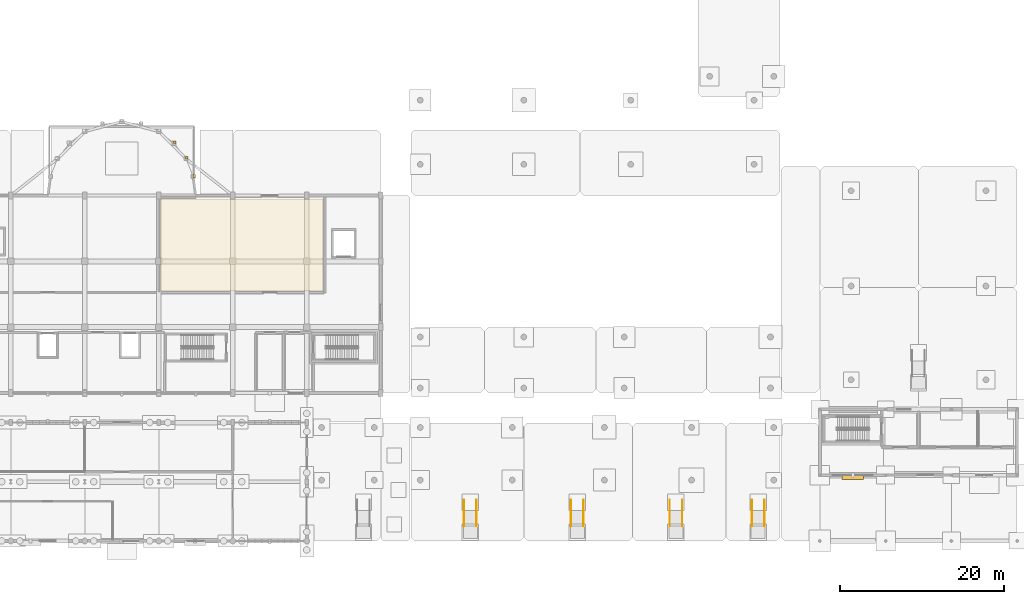
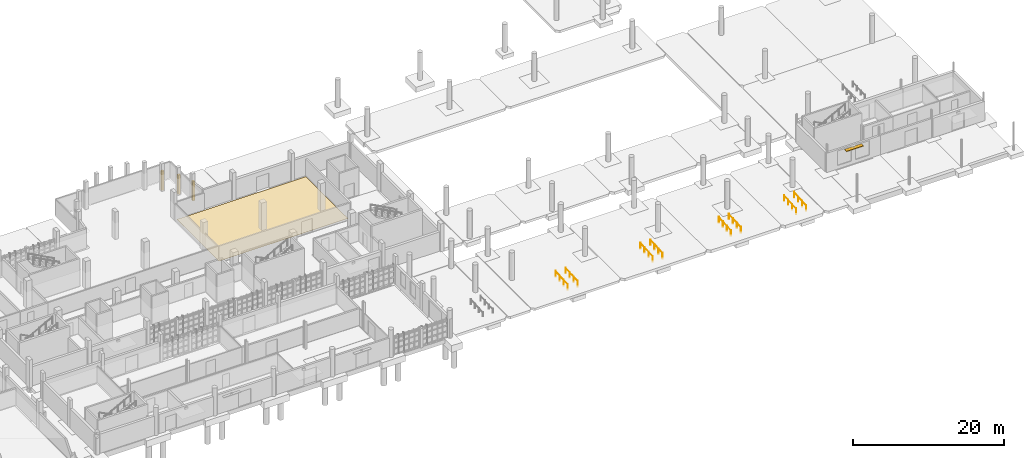
# One storey, part 61 of 63: 8 railings, 4 coverings, 1 shading device.
"""IFC4 building model written with IfcOpenShell, lengths in metres."""

from ifc_helpers import new_model, si_unit, direction, frame, origin, origin_2d, place, context, subcontext, project, spatial, polyline, rectangle, circle, outline, extrude, material, layer, layer_set, type_object, element, save


model = new_model("IFC4")

# Units and contexts
model_context = context("Model", 3, precision=1e-05, world=origin(), true_north=direction((0.0, 1.0)))
body_context = subcontext(model_context, "Body", "Model", "MODEL_VIEW")
ifc_project = project(units=[si_unit("LENGTHUNIT", "METRE"), si_unit("AREAUNIT", "SQUARE_METRE"), si_unit("VOLUMEUNIT", "CUBIC_METRE"), si_unit("PLANEANGLEUNIT", "RADIAN"), si_unit("MASSUNIT", "GRAM", prefix="KILO")], contexts=[model_context])

# Site, building, storey
site_placement = place(None, origin())
site = spatial("IfcSite", under=ifc_project, at=site_placement, CompositionType="ELEMENT")
building_placement = place(site_placement, origin())
building = spatial("IfcBuilding", under=site, at=building_placement, Name="Serraforn Aerial Cableway Station", CompositionType="ELEMENT")
storey_placement = place(building_placement, origin())
storey = spatial("IfcBuildingStorey", under=building, at=storey_placement, Name="L00", CompositionType="ELEMENT", Elevation=0.0)

# Coverings
ifc_material_1 = material(Name="Fluted patinated bronze Art Deco pilaster cladding")
ifc_layer_1 = layer(ifc_material_1, 0.034912109375)
ifc_layer_set_1 = layer_set([ifc_layer_1], Name="Fluted patinated bronze Art Deco pilaster cladding")
covering_type_1 = type_object("IfcCoveringType", Name="COV-CLAD-BRZ", PredefinedType="CLADDING", material=ifc_layer_set_1)
covering_1_placement = place(storey_placement, origin())
element("IfcCovering", 1, at=covering_1_placement, inside=storey, type_object=covering_type_1, Name="Art Deco Bronze Pilaster Cladding AP-L00-R9", PredefinedType="CLADDING", context=body_context, shape_type="SweptSolid", body=[
    extrude(outline(polyline([(65.3984375, 48.326904296875), (65.718505859375, 48.326904296875), (65.718505859375, 48.64697265625), (65.3984375, 48.64697265625), (65.3984375, 48.326904296875)])), origin(), (0.0, 0.0, 1.0), 3.1201171875),
])
covering_2_placement = place(storey_placement, origin())
element("IfcCovering", 2, at=covering_2_placement, inside=storey, type_object=covering_type_1, Name="Art Deco Bronze Pilaster Cladding AP-L00-R10", PredefinedType="CLADDING", context=body_context, shape_type="SweptSolid", body=[
    extrude(outline(polyline([(66.857177734375, 46.434326171875), (67.17724609375, 46.434326171875), (67.17724609375, 46.75439453125), (66.857177734375, 46.75439453125), (66.857177734375, 46.434326171875)])), origin(), (0.0, 0.0, 1.0), 3.1201171875),
])
covering_3_placement = place(storey_placement, origin())
element("IfcCovering", 3, at=covering_3_placement, inside=storey, type_object=covering_type_1, Name="Art Deco Bronze Pilaster Cladding AP-L00-R11", PredefinedType="CLADDING", context=body_context, shape_type="SweptSolid", body=[
    extrude(outline(polyline([(67.776611328125, 44.228759765625), (68.096435546875, 44.228759765625), (68.096435546875, 44.548583984375), (67.776611328125, 44.548583984375), (67.776611328125, 44.228759765625)])), origin(), (0.0, 0.0, 1.0), 3.1201171875),
])
ifc_material_2 = material(Name="Heavy-duty non-slip quartz epoxy floor")
ifc_layer_2 = layer(ifc_material_2, 0.014892578125)
ifc_layer_set_2 = layer_set([ifc_layer_2], Name="Heavy-duty non-slip quartz epoxy floor")
covering_type_2 = type_object("IfcCoveringType", Name="COV-FLR-EPOX", PredefinedType="FLOORING", material=ifc_layer_set_2)
covering_4_placement = place(storey_placement, origin())
element("IfcCovering", 4, at=covering_4_placement, inside=storey, type_object=covering_type_2, Name="Flooring L00-13", PredefinedType="FLOORING", context=body_context, shape_type="SweptSolid", body=[
    extrude(outline(polyline([(63.820068359375, 30.419921875), (63.820068359375, 41.580078125), (83.580078125, 41.580078125), (83.580078125, 30.419921875), (63.820068359375, 30.419921875)])), origin(), (0.0, 0.0, 1.0), 0.014892578125),
])

# Railings
ifc_material_3 = material(Name="Brushed bronze tubular handrail")
ifc_layer_3 = layer(ifc_material_3, 0.050048828125)
ifc_layer_set_3 = layer_set([ifc_layer_3], Name="Brushed bronze tubular handrail")
railing_type = type_object("IfcRailingType", Name="RL-RAMP-HD", PredefinedType="HANDRAIL", material=ifc_layer_set_3)
for number, where, name in (
    (5, (100.739990234375, 1.800048828125, -0.199951171875), "Ramp Handrail RMP-02-W"),
    (6, (102.260009765625, 1.800048828125, -0.199951171875), "Ramp Handrail RMP-02-E"),
    (7, (113.739990234375, 1.800048828125, -0.199951171875), "Ramp Handrail RMP-03-W"),
    (8, (115.260009765625, 1.800048828125, -0.199951171875), "Ramp Handrail RMP-03-E"),
    (9, (125.739990234375, 1.800048828125, -0.199951171875), "Ramp Handrail RMP-04-W"),
    (10, (127.260009765625, 1.800048828125, -0.199951171875), "Ramp Handrail RMP-04-E"),
    (11, (135.739990234375, 1.800048828125, -0.199951171875), "Ramp Handrail RMP-05-W"),
    (12, (137.260009765625, 1.800048828125, -0.199951171875), "Ramp Handrail RMP-05-E"),
):
    element("IfcRailing", number, at=place(storey_placement, frame(where)), inside=storey, type_object=railing_type, Name=name, PredefinedType="HANDRAIL", context=body_context, shape_type="SweptSolid", body=[
        extrude(circle(Radius=0.02392578125, at=origin_2d()), frame((0.0, 0.0, 0.89599609375), z_axis=(0.0, 0.998053467252, 0.062364064216), x_axis=(-1.0, 0.0, 0.0)), (0.0, 0.0, 1.0), 3.206298828125),
        extrude(circle(Radius=0.02099609375, at=origin_2d()), origin(), (0.0, 0.0, 1.0), 0.871826171875),
        extrude(circle(Radius=0.02099609375, at=origin_2d()), frame((0.0, 1.066650390625, 0.066650390625)), (0.0, 0.0, 1.0), 0.871826171875),
        extrude(circle(Radius=0.02099609375, at=origin_2d()), frame((0.0, 2.13330078125, 0.13330078125)), (0.0, 0.0, 1.0), 0.871826171875),
        extrude(circle(Radius=0.02099609375, at=origin_2d()), frame((0.0, 3.199951171875, 0.199951171875)), (0.0, 0.0, 1.0), 0.871826171875),
    ])

# Shading device
ifc_material_4 = material(Name="Anodised bronze solar brise-soleil louvre")
ifc_layer_4 = layer(ifc_material_4, 0.080078125)
ifc_layer_set_4 = layer_set([ifc_layer_4], Name="Anodised bronze solar brise-soleil louvre")
shading_device_type = type_object("IfcShadingDeviceType", Name="SHD-LOUVRE", PredefinedType="USERDEFINED", material=ifc_layer_set_4)
shading_device_placement = place(storey_placement, frame((148.0, 7.75, 2.60986328125), z_axis=(0.0, 0.0, 1.0), x_axis=(1.0, 0.0, 0.0)))
element("IfcShadingDevice", 13, at=shading_device_placement, inside=storey, type_object=shading_device_type, Name="Art Deco Bronze Brise-Soleil 08", ObjectType="SUNSHADE", PredefinedType="USERDEFINED", context=body_context, shape_type="SweptSolid", body=[
    extrude(rectangle(XDim=2.60009765625, YDim=0.550048828125, at=origin_2d()), origin(), (0.0, 0.0, 1.0), 0.080078125),
])

save(model, "model.ifc")
